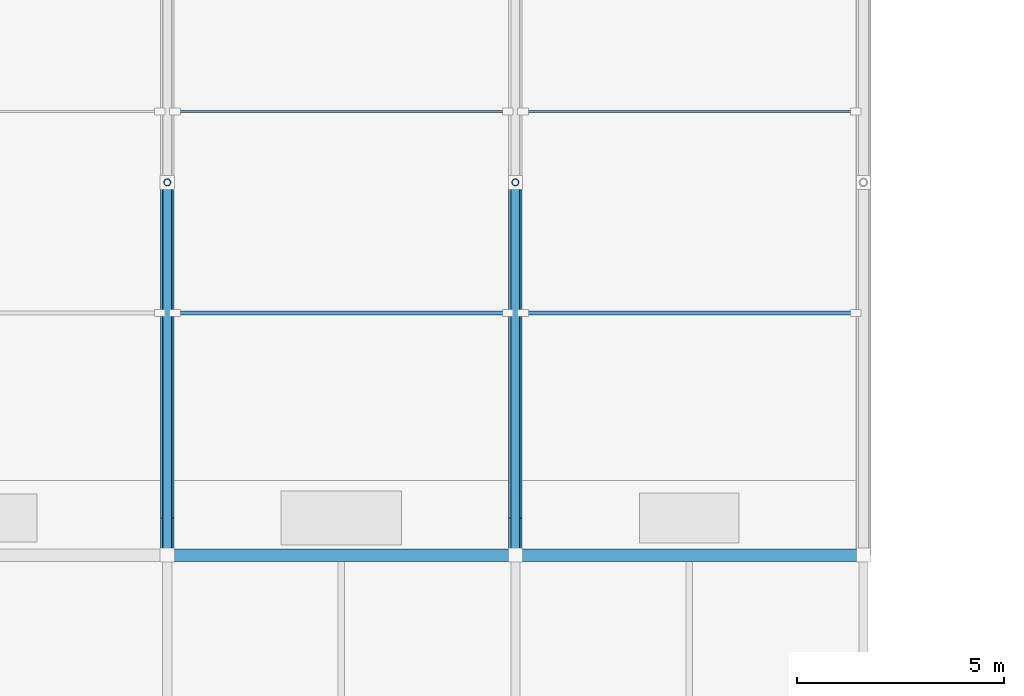
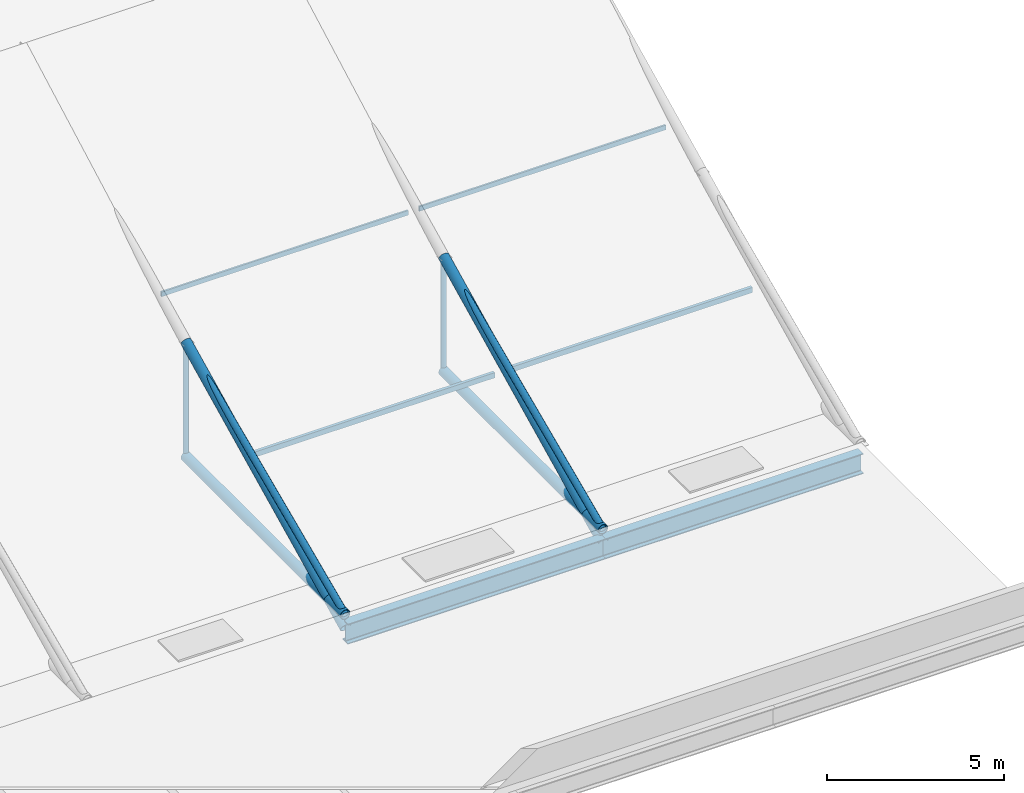
# One storey, part 11 of 38: 12 members, 2 beams.
"""IFC4 building model written with IfcOpenShell, lengths in metres."""

from ifc_helpers import new_model, si_unit, direction, frame, origin, origin_2d, place, context, subcontext, project, spatial, hollow_rectangle, hollow_circle, i_section, extrude, material, material_profile, profile_set, type_object, element, save


model = new_model("IFC4")

# Units and contexts
model_context = context("Model", 3, precision=1e-05, world=origin(), true_north=direction((0.0, 1.0)))
body_context = subcontext(model_context, "Body", "Model", "MODEL_VIEW")
ifc_project = project(units=[si_unit("LENGTHUNIT", "METRE"), si_unit("AREAUNIT", "SQUARE_METRE"), si_unit("VOLUMEUNIT", "CUBIC_METRE"), si_unit("PLANEANGLEUNIT", "RADIAN"), si_unit("MASSUNIT", "GRAM", prefix="KILO")], contexts=[model_context])

# Site, building, storey
site_placement = place(None, origin())
site = spatial("IfcSite", under=ifc_project, at=site_placement, CompositionType="ELEMENT")
building_placement = place(site_placement, origin())
building = spatial("IfcBuilding", under=site, at=building_placement, Name="Veltarok Museum of Natural Sciences", CompositionType="ELEMENT")
storey_placement = place(building_placement, frame((0.0, 0.0, 31.199951171875)))
storey = spatial("IfcBuildingStorey", under=building, at=storey_placement, Name="RF", CompositionType="ELEMENT", Elevation=31.199951171875)

# Members
ifc_material_1 = material(Name="Steel S355J2", Category="steel")
ifc_material_profile_1 = material_profile(ifc_material_1, hollow_rectangle(XDim=0.10009765625, YDim=0.179931640625, WallThickness=0.008056640625, at=origin_2d()), Name="RHS 180x100x8")
ifc_profile_set_1 = profile_set([ifc_material_profile_1], Name="Steel S355J2")
member_type_1 = type_object("IfcMemberType", Name="Heavy Valley Roof Purlin RHS 180x100x8", PredefinedType="PURLIN", material=ifc_profile_set_1)
for number, where, z_axis, x_axis, name in (
    (1, (82.179931640625, 41.85009765625, -3.950439453125), (1.0, 0.0, 0.0), (0.0, 1.0, 0.0), "Sawtooth Purlin 10-11 M1"),
    (2, (90.580078125, 41.85009765625, -3.950439453125), (1.0, 0.0, 0.0), (0.0, 1.0, 0.0), "Sawtooth Purlin 11-12 M1"),
):
    element("IfcMember", number, at=place(storey_placement, frame(where, z_axis=z_axis, x_axis=x_axis)), inside=storey, type_object=member_type_1, Name=name, PredefinedType="PURLIN", context=body_context, shape_type="SweptSolid", body=[
        extrude(hollow_rectangle(XDim=0.10009765625, YDim=0.179931640625, WallThickness=0.008056640625, at=origin_2d()), origin(), (0.0, 0.0, 1.0), 8.0400390625),
    ])

# Beams
ifc_material_profile_2 = material_profile(ifc_material_1, i_section(OverallWidth=0.300048828125, OverallDepth=0.699951171875, WebThickness=0.01708984375, FlangeThickness=0.031982421875, FilletRadius=0.027099609375, at=origin_2d()), Name="HEB 700")
ifc_profile_set_2 = profile_set([ifc_material_profile_2], Name="Steel S355J2")
beam_type = type_object("IfcBeamType", Name="Long-Span Hall Girder HEB 700", PredefinedType="BEAM", material=ifc_profile_set_2)
beam_1_placement = place(storey_placement, frame((82.0, 36.0, -6.389892578125), z_axis=(1.0, 0.0, 0.0), x_axis=(0.0, 1.0, 0.0)))
element("IfcBeam", 3, at=beam_1_placement, inside=storey, type_object=beam_type, Name="Sawtooth Valley Girder 10-11 Y=36.0", PredefinedType="BEAM", context=body_context, shape_type="SweptSolid", body=[
    extrude(i_section(OverallWidth=0.300048828125, OverallDepth=0.699951171875, WebThickness=0.01708984375, FlangeThickness=0.031982421875, FilletRadius=0.027099609375, at=origin_2d()), origin(), (0.0, 0.0, 1.0), 8.39990234375),
])
beam_2_placement = place(storey_placement, frame((90.39990234375, 36.0, -6.389892578125), z_axis=(1.0, 0.0, 0.0), x_axis=(0.0, 1.0, 0.0)))
element("IfcBeam", 4, at=beam_2_placement, inside=storey, type_object=beam_type, Name="Sawtooth Valley Girder 11-12 Y=36.0", PredefinedType="BEAM", context=body_context, shape_type="SweptSolid", body=[
    extrude(i_section(OverallWidth=0.300048828125, OverallDepth=0.699951171875, WebThickness=0.01708984375, FlangeThickness=0.031982421875, FilletRadius=0.027099609375, at=origin_2d()), origin(), (0.0, 0.0, 1.0), 8.400146484375),
])

# Members
ifc_material_profile_3 = material_profile(ifc_material_1, hollow_rectangle(XDim=0.06005859375, YDim=0.159912109375, WallThickness=0.0048828125, at=origin_2d()), Name="RHS 160x60x5")
ifc_profile_set_3 = profile_set([ifc_material_profile_3], Name="Steel S355J2")
member_type_2 = type_object("IfcMemberType", Name="Sawtooth Roof Purlin RHS 160x60x5", PredefinedType="PURLIN", material=ifc_profile_set_3)
for number, where, z_axis, x_axis, name in (
    (5, (82.179931640625, 46.7099609375, -1.310302734375), (1.0, 0.0, 0.0), (0.0, 1.0, 0.0), "Sawtooth Purlin 10-11 M1"),
    (6, (90.580078125, 46.7099609375, -1.310302734375), (1.0, 0.0, 0.0), (0.0, 1.0, 0.0), "Sawtooth Purlin 11-12 M1"),
):
    element("IfcMember", number, at=place(storey_placement, frame(where, z_axis=z_axis, x_axis=x_axis)), inside=storey, type_object=member_type_2, Name=name, PredefinedType="PURLIN", context=body_context, shape_type="SweptSolid", body=[
        extrude(hollow_rectangle(XDim=0.06005859375, YDim=0.159912109375, WallThickness=0.0048828125, at=origin_2d()), origin(), (0.0, 0.0, 1.0), 8.0400390625),
    ])
ifc_material_2 = material(Name="Oxide-red painted Steel S355J2", Category="steel")
ifc_material_profile_4 = material_profile(ifc_material_2, hollow_circle(Radius=0.161865234375, WallThickness=0.01611328125, at=origin_2d()), Name="CHS 323.9x16")
ifc_profile_set_4 = profile_set([ifc_material_profile_4], Name="Oxide-red painted Steel S355J2")
member_type_3 = type_object("IfcMemberType", Name="Sawtooth Truss Chord CHS 323.9x16", PredefinedType="CHORD", material=ifc_profile_set_4)
member_1_placement = place(storey_placement, frame((82.0, 36.0, -5.800048828125), z_axis=(0.0, 1.0, 0.0), x_axis=(-1.0, 0.0, 0.0)))
element("IfcMember", 7, at=member_1_placement, inside=storey, type_object=member_type_3, Name="Roof Truss Bottom Chord 10 M1", PredefinedType="CHORD", context=body_context, shape_type="SweptSolid", body=[
    extrude(hollow_circle(Radius=0.161865234375, WallThickness=0.01611328125, at=origin_2d()), origin(), (0.0, 0.0, 1.0), 9.0),
])
member_2_placement = place(storey_placement, frame((82.0, 36.0, -6.25), z_axis=(0.0, 0.898378591281, 0.43922193334), x_axis=(-1.0, 0.0, 0.0)))
element("IfcMember", 8, at=member_2_placement, inside=storey, type_object=member_type_3, Name="Roof Truss Top Chord 10 M1", PredefinedType="CHORD", context=body_context, shape_type="SweptSolid", body=[
    extrude(hollow_circle(Radius=0.161865234375, WallThickness=0.01611328125, at=origin_2d()), origin(), (0.0, 0.0, 1.0), 10.01806640625),
])
member_3_placement = place(storey_placement, frame((90.39990234375, 36.0, -5.800048828125), z_axis=(0.0, 1.0, 0.0), x_axis=(-1.0, 0.0, 0.0)))
element("IfcMember", 9, at=member_3_placement, inside=storey, type_object=member_type_3, Name="Roof Truss Bottom Chord 11 M1", PredefinedType="CHORD", context=body_context, shape_type="SweptSolid", body=[
    extrude(hollow_circle(Radius=0.161865234375, WallThickness=0.01611328125, at=origin_2d()), origin(), (0.0, 0.0, 1.0), 9.0),
])
member_4_placement = place(storey_placement, frame((90.39990234375, 36.0, -6.25), z_axis=(0.0, 0.898378591281, 0.43922193334), x_axis=(-1.0, 0.0, 0.0)))
element("IfcMember", 10, at=member_4_placement, inside=storey, type_object=member_type_3, Name="Roof Truss Top Chord 11 M1", PredefinedType="CHORD", context=body_context, shape_type="SweptSolid", body=[
    extrude(hollow_circle(Radius=0.161865234375, WallThickness=0.01611328125, at=origin_2d()), origin(), (0.0, 0.0, 1.0), 10.01806640625),
])
ifc_material_profile_5 = material_profile(ifc_material_2, hollow_circle(Radius=0.084228515625, WallThickness=0.008056640625, at=origin_2d()), Name="CHS 168.3x8")
ifc_profile_set_5 = profile_set([ifc_material_profile_5], Name="Oxide-red painted Steel S355J2")
member_type_4 = type_object("IfcMemberType", Name="Sawtooth Truss Vertical Strut CHS 168.3x8", PredefinedType="STRUT", material=ifc_profile_set_5)
for number, where, z_axis, x_axis, name in (
    (11, (82.0, 45.0, -5.800048828125), (0.0, 0.0, 1.0), (1.0, 0.0, 0.0), "Roof Truss Strut 10 M1"),
    (12, (90.39990234375, 45.0, -5.800048828125), (0.0, 0.0, 1.0), (1.0, 0.0, 0.0), "Roof Truss Strut 11 M1"),
):
    element("IfcMember", number, at=place(storey_placement, frame(where, z_axis=z_axis, x_axis=x_axis)), inside=storey, type_object=member_type_4, Name=name, PredefinedType="STRUT", context=body_context, shape_type="SweptSolid", body=[
        extrude(hollow_circle(Radius=0.084228515625, WallThickness=0.008056640625, at=origin_2d()), origin(), (0.0, 0.0, 1.0), 3.9501953125),
    ])
ifc_material_profile_6 = material_profile(ifc_material_2, hollow_circle(Radius=0.109619140625, WallThickness=0.010009765625, at=origin_2d()), Name="CHS 219.1x10")
ifc_profile_set_6 = profile_set([ifc_material_profile_6], Name="Oxide-red painted Steel S355J2")
member_type_5 = type_object("IfcMemberType", Name="Sawtooth Truss Web Diagonal CHS 219.1x10", PredefinedType="BRACE", material=ifc_profile_set_6)
for number, where, z_axis, x_axis, name in (
    (13, (82.0, 36.0, -5.800048828125), (0.0, 0.915682381641, 0.401902694633), (-1.0, 0.0, 0.0), "Roof Truss Diagonal 10 M1"),
    (14, (90.39990234375, 36.0, -5.800048828125), (0.0, 0.915682381641, 0.401902694633), (-1.0, 0.0, 0.0), "Roof Truss Diagonal 11 M1"),
):
    element("IfcMember", number, at=place(storey_placement, frame(where, z_axis=z_axis, x_axis=x_axis)), inside=storey, type_object=member_type_5, Name=name, PredefinedType="BRACE", context=body_context, shape_type="SweptSolid", body=[
        extrude(hollow_circle(Radius=0.109619140625, WallThickness=0.010009765625, at=origin_2d()), origin(), (0.0, 0.0, 1.0), 9.828857421875),
    ])

save(model, "model.ifc")
